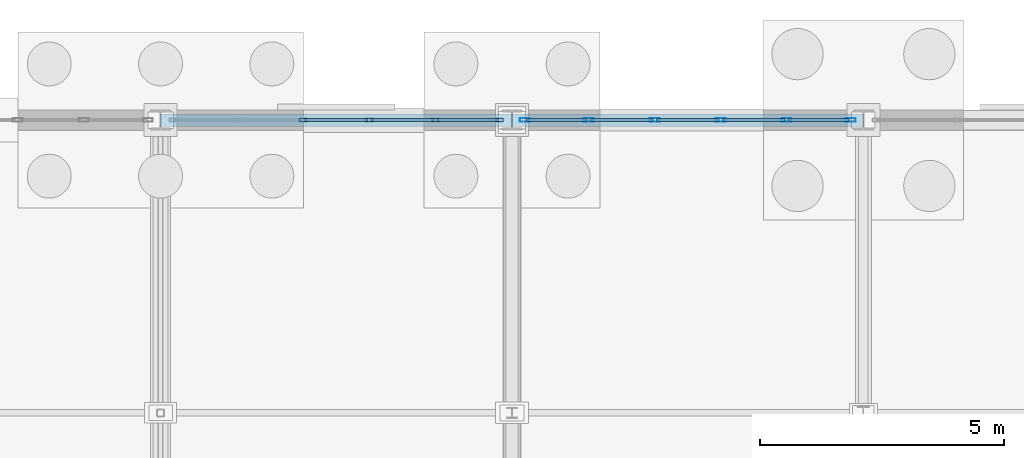
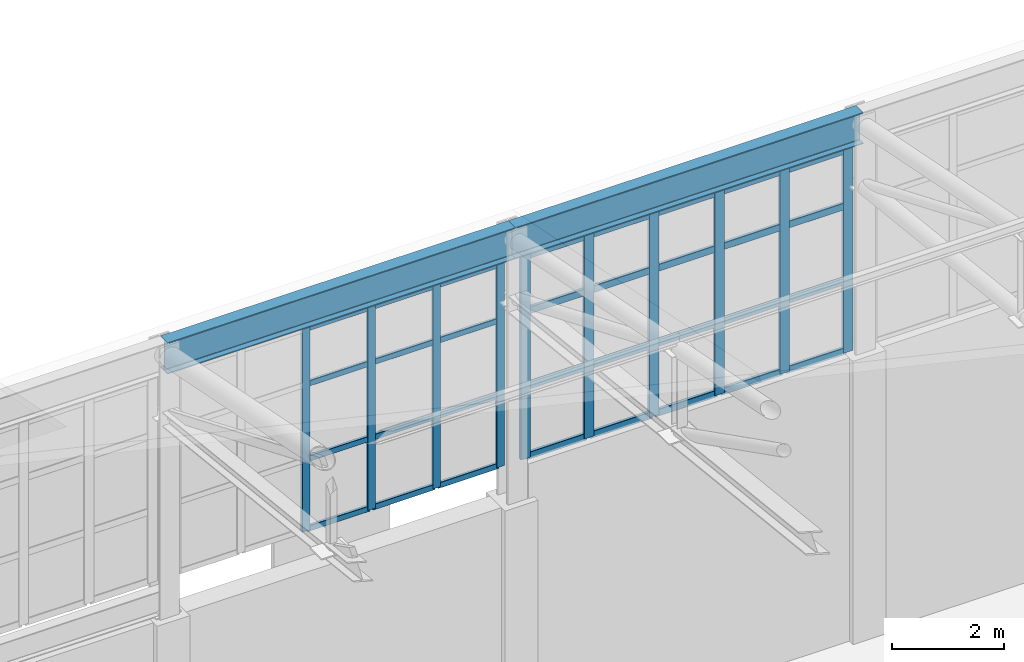
# One storey, part 209 of 293: 42 members, 2 beams, 2 elements without a shape of their own.
"""IFC4 building model written with IfcOpenShell, lengths in metres."""

from ifc_helpers import new_model, si_unit, direction, frame, origin, origin_2d, place, context, subcontext, project, spatial, hollow_rectangle, i_section, extrude, material, layer, layer_set, material_profile, profile_set, type_object, element, aggregate, save


model = new_model("IFC4")

# Units and contexts
model_context = context("Model", 3, precision=1e-05, world=origin(), true_north=direction((0.0, 1.0)))
body_context = subcontext(model_context, "Body", "Model", "MODEL_VIEW")
ifc_project = project(units=[si_unit("LENGTHUNIT", "METRE"), si_unit("AREAUNIT", "SQUARE_METRE"), si_unit("VOLUMEUNIT", "CUBIC_METRE"), si_unit("PLANEANGLEUNIT", "RADIAN"), si_unit("MASSUNIT", "GRAM", prefix="KILO")], contexts=[model_context])

# Site, building, storey
site_placement = place(None, origin())
site = spatial("IfcSite", under=ifc_project, at=site_placement, CompositionType="ELEMENT")
building_placement = place(site_placement, origin())
building = spatial("IfcBuilding", under=site, at=building_placement, Name="Kemerveld Promenade Tramway Depot", CompositionType="ELEMENT")
storey_placement = place(building_placement, origin())
storey = spatial("IfcBuildingStorey", under=building, at=storey_placement, Name="L00", CompositionType="ELEMENT", Elevation=0.0)

# Beams
ifc_material_1 = material(Name="Steel S355", Category="steel")
ifc_material_profile_1 = material_profile(ifc_material_1, i_section(OverallWidth=0.25439453125, OverallDepth=0.6875, WebThickness=0.01318359375, FlangeThickness=0.02099609375, FilletRadius=0.01513671875, at=origin_2d()), Name="686x254x152 UB")
ifc_profile_set_1 = profile_set([ifc_material_profile_1], Name="Steel S355")
beam_type = type_object("IfcBeamType", Name="BM-G03", PredefinedType="BEAM", material=ifc_profile_set_1)
beam_1_placement = place(storey_placement, frame((79.199951171875, 144.0, 11.056396484375), z_axis=(1.0, 0.0, 0.0), x_axis=(0.0, 1.0, 0.0)))
element("IfcBeam", 1, at=beam_1_placement, inside=storey, type_object=beam_type, Name="BM-SHED-EAVE-U-12", PredefinedType="BEAM", context=body_context, shape_type="SweptSolid", body=[
    extrude(i_section(OverallWidth=0.25439453125, OverallDepth=0.6875, WebThickness=0.01318359375, FlangeThickness=0.02099609375, FilletRadius=0.01513671875, at=origin_2d()), origin(), (0.0, 0.0, 1.0), 7.199951171875),
])
beam_2_placement = place(storey_placement, frame((86.39990234375, 144.0, 11.056396484375), z_axis=(1.0, 0.0, 0.0), x_axis=(0.0, 1.0, 0.0)))
element("IfcBeam", 2, at=beam_2_placement, inside=storey, type_object=beam_type, Name="BM-SHED-EAVE-U-13", PredefinedType="BEAM", context=body_context, shape_type="SweptSolid", body=[
    extrude(i_section(OverallWidth=0.25439453125, OverallDepth=0.6875, WebThickness=0.01318359375, FlangeThickness=0.02099609375, FilletRadius=0.01513671875, at=origin_2d()), origin(), (0.0, 0.0, 1.0), 7.2001953125),
])

# Curtain wall, members
ifc_material_2 = material(Name="Bronze anodised aluminium and solar glass", Category="aluminium")
ifc_layer_1 = layer(ifc_material_2, 0.159912109375)
ifc_layer_set_1 = layer_set([ifc_layer_1], Name="CW-SYS-07")
curtain_wall_type_1 = type_object("IfcCurtainWallType", Name="CW-SYS-07", PredefinedType="USERDEFINED", material=ifc_layer_set_1)
curtain_wall_1_placement = place(storey_placement, origin())
curtain_wall_1 = element("IfcCurtainWall", 3, at=curtain_wall_1_placement, inside=storey, type_object=curtain_wall_type_1, Name="CW-V1-N-07", ObjectType="GLAZED_CURTAIN_WALL", PredefinedType="USERDEFINED")
ifc_material_3 = material(Name="Bronze anodised aluminium", Category="aluminium")
ifc_material_profile_2 = material_profile(ifc_material_3, hollow_rectangle(XDim=0.06494140625, YDim=0.159912109375, WallThickness=0.00390625, InnerFilletRadius=0.001953125, OuterFilletRadius=0.00390625, at=origin_2d()), Name="CW-MUL-160x65")
ifc_profile_set_2 = profile_set([ifc_material_profile_2], Name="Bronze anodised aluminium")
member_type_1 = type_object("IfcMemberType", Name="CW-MUL-A", PredefinedType="MULLION", material=ifc_profile_set_2)
member_1_placement = place(storey_placement, frame((82.124755859375, 144.0, 6.199951171875), z_axis=(0.0, 0.0, 1.0), x_axis=(0.0, 1.0, 0.0)))
member_1 = element("IfcMember", 4, at=member_1_placement, type_object=member_type_1, Name="CW07 mullion 3", PredefinedType="MULLION", context=body_context, shape_type="SweptSolid", body=[
    extrude(hollow_rectangle(XDim=0.06494140625, YDim=0.159912109375, WallThickness=0.00390625, InnerFilletRadius=0.001953125, OuterFilletRadius=0.00390625, at=origin_2d()), origin(), (0.0, 0.0, 1.0), 4.449951171875),
])
member_2_placement = place(storey_placement, frame((83.475341796875, 144.0, 6.199951171875), z_axis=(0.0, 0.0, 1.0), x_axis=(0.0, 1.0, 0.0)))
member_2 = element("IfcMember", 5, at=member_2_placement, type_object=member_type_1, Name="CW07 mullion 4", PredefinedType="MULLION", context=body_context, shape_type="SweptSolid", body=[
    extrude(hollow_rectangle(XDim=0.06494140625, YDim=0.159912109375, WallThickness=0.00390625, InnerFilletRadius=0.001953125, OuterFilletRadius=0.00390625, at=origin_2d()), origin(), (0.0, 0.0, 1.0), 4.449951171875),
])
member_3_placement = place(storey_placement, frame((84.826171875, 144.0, 6.199951171875), z_axis=(0.0, 0.0, 1.0), x_axis=(0.0, 1.0, 0.0)))
member_3 = element("IfcMember", 6, at=member_3_placement, type_object=member_type_1, Name="CW07 mullion 5", PredefinedType="MULLION", context=body_context, shape_type="SweptSolid", body=[
    extrude(hollow_rectangle(XDim=0.06494140625, YDim=0.159912109375, WallThickness=0.00390625, InnerFilletRadius=0.001953125, OuterFilletRadius=0.00390625, at=origin_2d()), origin(), (0.0, 0.0, 1.0), 4.449951171875),
])
member_4_placement = place(storey_placement, frame((86.144287109375, 144.0, 6.199951171875), z_axis=(0.0, 0.0, 1.0), x_axis=(0.0, 1.0, 0.0)))
member_4 = element("IfcMember", 7, at=member_4_placement, type_object=member_type_1, Name="CW07 mullion 6", PredefinedType="MULLION", context=body_context, shape_type="SweptSolid", body=[
    extrude(hollow_rectangle(XDim=0.06494140625, YDim=0.159912109375, WallThickness=0.00390625, InnerFilletRadius=0.001953125, OuterFilletRadius=0.00390625, at=origin_2d()), origin(), (0.0, 0.0, 1.0), 4.449951171875),
])

ifc_layer_2 = layer(ifc_material_2, 0.199951171875)
ifc_layer_set_2 = layer_set([ifc_layer_2], Name="CW-SYS-08")
curtain_wall_type_2 = type_object("IfcCurtainWallType", Name="CW-SYS-08", PredefinedType="USERDEFINED", material=ifc_layer_set_2)
curtain_wall_2_placement = place(storey_placement, origin())
curtain_wall_2 = element("IfcCurtainWall", 8, at=curtain_wall_2_placement, inside=storey, type_object=curtain_wall_type_2, Name="CW-V1-N-08", ObjectType="GLAZED_CURTAIN_WALL", PredefinedType="USERDEFINED")
ifc_material_profile_3 = material_profile(ifc_material_3, hollow_rectangle(XDim=0.074951171875, YDim=0.199951171875, WallThickness=0.0048828125, InnerFilletRadius=0.001953125, OuterFilletRadius=0.0048828125, at=origin_2d()), Name="CW-MUL-200x75")
ifc_profile_set_3 = profile_set([ifc_material_profile_3], Name="Bronze anodised aluminium")
member_type_2 = type_object("IfcMemberType", Name="CW-MUL-B", PredefinedType="MULLION", material=ifc_profile_set_3)
member_5_placement = place(storey_placement, frame((86.66064453125, 144.0, 6.199951171875), z_axis=(0.0, 0.0, 1.0), x_axis=(0.0, 1.0, 0.0)))
member_5 = element("IfcMember", 9, at=member_5_placement, type_object=member_type_2, Name="CW08 mullion 1", PredefinedType="MULLION", context=body_context, shape_type="SweptSolid", body=[
    extrude(hollow_rectangle(XDim=0.074951171875, YDim=0.199951171875, WallThickness=0.0048828125, InnerFilletRadius=0.001953125, OuterFilletRadius=0.0048828125, at=origin_2d()), origin(), (0.0, 0.0, 1.0), 4.449951171875),
])
member_6_placement = place(storey_placement, frame((87.973876953125, 144.0, 6.199951171875), z_axis=(0.0, 0.0, 1.0), x_axis=(0.0, 1.0, 0.0)))
member_6 = element("IfcMember", 10, at=member_6_placement, type_object=member_type_2, Name="CW08 mullion 2", PredefinedType="MULLION", context=body_context, shape_type="SweptSolid", body=[
    extrude(hollow_rectangle(XDim=0.074951171875, YDim=0.199951171875, WallThickness=0.0048828125, InnerFilletRadius=0.001953125, OuterFilletRadius=0.0048828125, at=origin_2d()), origin(), (0.0, 0.0, 1.0), 4.449951171875),
])
member_7_placement = place(storey_placement, frame((89.32470703125, 144.0, 6.199951171875), z_axis=(0.0, 0.0, 1.0), x_axis=(0.0, 1.0, 0.0)))
member_7 = element("IfcMember", 11, at=member_7_placement, type_object=member_type_2, Name="CW08 mullion 3", PredefinedType="MULLION", context=body_context, shape_type="SweptSolid", body=[
    extrude(hollow_rectangle(XDim=0.074951171875, YDim=0.199951171875, WallThickness=0.0048828125, InnerFilletRadius=0.001953125, OuterFilletRadius=0.0048828125, at=origin_2d()), origin(), (0.0, 0.0, 1.0), 4.449951171875),
])
member_8_placement = place(storey_placement, frame((90.67529296875, 144.0, 6.199951171875), z_axis=(0.0, 0.0, 1.0), x_axis=(0.0, 1.0, 0.0)))
member_8 = element("IfcMember", 12, at=member_8_placement, type_object=member_type_2, Name="CW08 mullion 4", PredefinedType="MULLION", context=body_context, shape_type="SweptSolid", body=[
    extrude(hollow_rectangle(XDim=0.074951171875, YDim=0.199951171875, WallThickness=0.0048828125, InnerFilletRadius=0.001953125, OuterFilletRadius=0.0048828125, at=origin_2d()), origin(), (0.0, 0.0, 1.0), 4.449951171875),
])
member_9_placement = place(storey_placement, frame((92.026123046875, 144.0, 6.199951171875), z_axis=(0.0, 0.0, 1.0), x_axis=(0.0, 1.0, 0.0)))
member_9 = element("IfcMember", 13, at=member_9_placement, type_object=member_type_2, Name="CW08 mullion 5", PredefinedType="MULLION", context=body_context, shape_type="SweptSolid", body=[
    extrude(hollow_rectangle(XDim=0.074951171875, YDim=0.199951171875, WallThickness=0.0048828125, InnerFilletRadius=0.001953125, OuterFilletRadius=0.0048828125, at=origin_2d()), origin(), (0.0, 0.0, 1.0), 4.449951171875),
])
member_10_placement = place(storey_placement, frame((93.33935546875, 144.0, 6.199951171875), z_axis=(0.0, 0.0, 1.0), x_axis=(0.0, 1.0, 0.0)))
member_10 = element("IfcMember", 14, at=member_10_placement, type_object=member_type_2, Name="CW08 mullion 6", PredefinedType="MULLION", context=body_context, shape_type="SweptSolid", body=[
    extrude(hollow_rectangle(XDim=0.074951171875, YDim=0.199951171875, WallThickness=0.0048828125, InnerFilletRadius=0.001953125, OuterFilletRadius=0.0048828125, at=origin_2d()), origin(), (0.0, 0.0, 1.0), 4.449951171875),
])

# Member
ifc_material_profile_4 = material_profile(ifc_material_3, hollow_rectangle(XDim=0.06005859375, YDim=0.1201171875, WallThickness=0.00390625, InnerFilletRadius=0.001953125, OuterFilletRadius=0.00390625, at=origin_2d()), Name="CW-TRN-120x60")
ifc_profile_set_4 = profile_set([ifc_material_profile_4], Name="Bronze anodised aluminium")
member_type_3 = type_object("IfcMemberType", Name="CW-TRN-A", PredefinedType="USERDEFINED", material=ifc_profile_set_4)
member_11_placement = place(storey_placement, frame((82.1572265625, 144.0, 6.22998046875), z_axis=(1.0, 0.0, 0.0), x_axis=(0.0, 1.0, 0.0)))
member_11 = element("IfcMember", 15, at=member_11_placement, type_object=member_type_3, Name="CW07 transom 3.1", ObjectType="TRANSOM", PredefinedType="USERDEFINED", context=body_context, shape_type="SweptSolid", body=[
    extrude(hollow_rectangle(XDim=0.06005859375, YDim=0.1201171875, WallThickness=0.00390625, InnerFilletRadius=0.001953125, OuterFilletRadius=0.00390625, at=origin_2d()), origin(), (0.0, 0.0, 1.0), 1.28564453125),
])

member_12_placement = place(storey_placement, frame((82.1572265625, 144.0, 7.758056640625), z_axis=(1.0, 0.0, 0.0), x_axis=(0.0, 1.0, 0.0)))
member_12 = element("IfcMember", 16, at=member_12_placement, type_object=member_type_3, Name="CW07 transom 3.2", ObjectType="TRANSOM", PredefinedType="USERDEFINED", context=body_context, shape_type="SweptSolid", body=[
    extrude(hollow_rectangle(XDim=0.06005859375, YDim=0.1201171875, WallThickness=0.00390625, InnerFilletRadius=0.001953125, OuterFilletRadius=0.00390625, at=origin_2d()), origin(), (0.0, 0.0, 1.0), 1.28564453125),
])

member_13_placement = place(storey_placement, frame((82.1572265625, 144.0, 9.404052734375), z_axis=(1.0, 0.0, 0.0), x_axis=(0.0, 1.0, 0.0)))
member_13 = element("IfcMember", 17, at=member_13_placement, type_object=member_type_3, Name="CW07 transom 3.3", ObjectType="TRANSOM", PredefinedType="USERDEFINED", context=body_context, shape_type="SweptSolid", body=[
    extrude(hollow_rectangle(XDim=0.06005859375, YDim=0.1201171875, WallThickness=0.00390625, InnerFilletRadius=0.001953125, OuterFilletRadius=0.00390625, at=origin_2d()), origin(), (0.0, 0.0, 1.0), 1.28564453125),
])

member_14_placement = place(storey_placement, frame((82.1572265625, 144.0, 10.6201171875), z_axis=(1.0, 0.0, 0.0), x_axis=(0.0, 1.0, 0.0)))
member_14 = element("IfcMember", 18, at=member_14_placement, type_object=member_type_3, Name="CW07 transom 3.4", ObjectType="TRANSOM", PredefinedType="USERDEFINED", context=body_context, shape_type="SweptSolid", body=[
    extrude(hollow_rectangle(XDim=0.06005859375, YDim=0.1201171875, WallThickness=0.00390625, InnerFilletRadius=0.001953125, OuterFilletRadius=0.00390625, at=origin_2d()), origin(), (0.0, 0.0, 1.0), 1.28564453125),
])

member_15_placement = place(storey_placement, frame((83.5078125, 144.0, 6.22998046875), z_axis=(1.0, 0.0, 0.0), x_axis=(0.0, 1.0, 0.0)))
member_15 = element("IfcMember", 19, at=member_15_placement, type_object=member_type_3, Name="CW07 transom 4.1", ObjectType="TRANSOM", PredefinedType="USERDEFINED", context=body_context, shape_type="SweptSolid", body=[
    extrude(hollow_rectangle(XDim=0.06005859375, YDim=0.1201171875, WallThickness=0.00390625, InnerFilletRadius=0.001953125, OuterFilletRadius=0.00390625, at=origin_2d()), origin(), (0.0, 0.0, 1.0), 1.285888671875),
])

member_16_placement = place(storey_placement, frame((83.5078125, 144.0, 7.758056640625), z_axis=(1.0, 0.0, 0.0), x_axis=(0.0, 1.0, 0.0)))
member_16 = element("IfcMember", 20, at=member_16_placement, type_object=member_type_3, Name="CW07 transom 4.2", ObjectType="TRANSOM", PredefinedType="USERDEFINED", context=body_context, shape_type="SweptSolid", body=[
    extrude(hollow_rectangle(XDim=0.06005859375, YDim=0.1201171875, WallThickness=0.00390625, InnerFilletRadius=0.001953125, OuterFilletRadius=0.00390625, at=origin_2d()), origin(), (0.0, 0.0, 1.0), 1.285888671875),
])

member_17_placement = place(storey_placement, frame((83.5078125, 144.0, 9.404052734375), z_axis=(1.0, 0.0, 0.0), x_axis=(0.0, 1.0, 0.0)))
member_17 = element("IfcMember", 21, at=member_17_placement, type_object=member_type_3, Name="CW07 transom 4.3", ObjectType="TRANSOM", PredefinedType="USERDEFINED", context=body_context, shape_type="SweptSolid", body=[
    extrude(hollow_rectangle(XDim=0.06005859375, YDim=0.1201171875, WallThickness=0.00390625, InnerFilletRadius=0.001953125, OuterFilletRadius=0.00390625, at=origin_2d()), origin(), (0.0, 0.0, 1.0), 1.285888671875),
])

member_18_placement = place(storey_placement, frame((83.5078125, 144.0, 10.6201171875), z_axis=(1.0, 0.0, 0.0), x_axis=(0.0, 1.0, 0.0)))
member_18 = element("IfcMember", 22, at=member_18_placement, type_object=member_type_3, Name="CW07 transom 4.4", ObjectType="TRANSOM", PredefinedType="USERDEFINED", context=body_context, shape_type="SweptSolid", body=[
    extrude(hollow_rectangle(XDim=0.06005859375, YDim=0.1201171875, WallThickness=0.00390625, InnerFilletRadius=0.001953125, OuterFilletRadius=0.00390625, at=origin_2d()), origin(), (0.0, 0.0, 1.0), 1.285888671875),
])

member_19_placement = place(storey_placement, frame((84.858642578125, 144.0, 6.22998046875), z_axis=(1.0, 0.0, 0.0), x_axis=(0.0, 1.0, 0.0)))
member_19 = element("IfcMember", 23, at=member_19_placement, type_object=member_type_3, Name="CW07 transom 5.1", ObjectType="TRANSOM", PredefinedType="USERDEFINED", context=body_context, shape_type="SweptSolid", body=[
    extrude(hollow_rectangle(XDim=0.06005859375, YDim=0.1201171875, WallThickness=0.00390625, InnerFilletRadius=0.001953125, OuterFilletRadius=0.00390625, at=origin_2d()), origin(), (0.0, 0.0, 1.0), 1.253173828125),
])

member_20_placement = place(storey_placement, frame((84.858642578125, 144.0, 7.758056640625), z_axis=(1.0, 0.0, 0.0), x_axis=(0.0, 1.0, 0.0)))
member_20 = element("IfcMember", 24, at=member_20_placement, type_object=member_type_3, Name="CW07 transom 5.2", ObjectType="TRANSOM", PredefinedType="USERDEFINED", context=body_context, shape_type="SweptSolid", body=[
    extrude(hollow_rectangle(XDim=0.06005859375, YDim=0.1201171875, WallThickness=0.00390625, InnerFilletRadius=0.001953125, OuterFilletRadius=0.00390625, at=origin_2d()), origin(), (0.0, 0.0, 1.0), 1.253173828125),
])

member_21_placement = place(storey_placement, frame((84.858642578125, 144.0, 9.404052734375), z_axis=(1.0, 0.0, 0.0), x_axis=(0.0, 1.0, 0.0)))
member_21 = element("IfcMember", 25, at=member_21_placement, type_object=member_type_3, Name="CW07 transom 5.3", ObjectType="TRANSOM", PredefinedType="USERDEFINED", context=body_context, shape_type="SweptSolid", body=[
    extrude(hollow_rectangle(XDim=0.06005859375, YDim=0.1201171875, WallThickness=0.00390625, InnerFilletRadius=0.001953125, OuterFilletRadius=0.00390625, at=origin_2d()), origin(), (0.0, 0.0, 1.0), 1.253173828125),
])

member_22_placement = place(storey_placement, frame((84.858642578125, 144.0, 10.6201171875), z_axis=(1.0, 0.0, 0.0), x_axis=(0.0, 1.0, 0.0)))
member_22 = element("IfcMember", 26, at=member_22_placement, type_object=member_type_3, Name="CW07 transom 5.4", ObjectType="TRANSOM", PredefinedType="USERDEFINED", context=body_context, shape_type="SweptSolid", body=[
    extrude(hollow_rectangle(XDim=0.06005859375, YDim=0.1201171875, WallThickness=0.00390625, InnerFilletRadius=0.001953125, OuterFilletRadius=0.00390625, at=origin_2d()), origin(), (0.0, 0.0, 1.0), 1.253173828125),
])

aggregate(curtain_wall_1, [member_1, member_2, member_3, member_4, member_11, member_12, member_13, member_14, member_15, member_16, member_17, member_18, member_19, member_20, member_21, member_22])

ifc_material_profile_5 = material_profile(ifc_material_3, hollow_rectangle(XDim=0.06494140625, YDim=0.14990234375, WallThickness=0.00439453125, InnerFilletRadius=0.001953125, OuterFilletRadius=0.00439453125, at=origin_2d()), Name="CW-TRN-150x65")
ifc_profile_set_5 = profile_set([ifc_material_profile_5], Name="Bronze anodised aluminium")
member_type_4 = type_object("IfcMemberType", Name="CW-TRN-B", PredefinedType="USERDEFINED", material=ifc_profile_set_5)
member_23_placement = place(storey_placement, frame((86.6982421875, 144.0, 6.232421875), z_axis=(1.0, 0.0, 0.0), x_axis=(0.0, 1.0, 0.0)))
member_23 = element("IfcMember", 27, at=member_23_placement, type_object=member_type_4, Name="CW08 transom 1.1", ObjectType="TRANSOM", PredefinedType="USERDEFINED", context=body_context, shape_type="SweptSolid", body=[
    extrude(hollow_rectangle(XDim=0.06494140625, YDim=0.14990234375, WallThickness=0.00439453125, InnerFilletRadius=0.001953125, OuterFilletRadius=0.00439453125, at=origin_2d()), origin(), (0.0, 0.0, 1.0), 1.23828125),
])

member_24_placement = place(storey_placement, frame((86.6982421875, 144.0, 7.758056640625), z_axis=(1.0, 0.0, 0.0), x_axis=(0.0, 1.0, 0.0)))
member_24 = element("IfcMember", 28, at=member_24_placement, type_object=member_type_4, Name="CW08 transom 1.2", ObjectType="TRANSOM", PredefinedType="USERDEFINED", context=body_context, shape_type="SweptSolid", body=[
    extrude(hollow_rectangle(XDim=0.06494140625, YDim=0.14990234375, WallThickness=0.00439453125, InnerFilletRadius=0.001953125, OuterFilletRadius=0.00439453125, at=origin_2d()), origin(), (0.0, 0.0, 1.0), 1.23828125),
])

member_25_placement = place(storey_placement, frame((86.6982421875, 144.0, 9.404052734375), z_axis=(1.0, 0.0, 0.0), x_axis=(0.0, 1.0, 0.0)))
member_25 = element("IfcMember", 29, at=member_25_placement, type_object=member_type_4, Name="CW08 transom 1.3", ObjectType="TRANSOM", PredefinedType="USERDEFINED", context=body_context, shape_type="SweptSolid", body=[
    extrude(hollow_rectangle(XDim=0.06494140625, YDim=0.14990234375, WallThickness=0.00439453125, InnerFilletRadius=0.001953125, OuterFilletRadius=0.00439453125, at=origin_2d()), origin(), (0.0, 0.0, 1.0), 1.23828125),
])

member_26_placement = place(storey_placement, frame((86.6982421875, 144.0, 10.617431640625), z_axis=(1.0, 0.0, 0.0), x_axis=(0.0, 1.0, 0.0)))
member_26 = element("IfcMember", 30, at=member_26_placement, type_object=member_type_4, Name="CW08 transom 1.4", ObjectType="TRANSOM", PredefinedType="USERDEFINED", context=body_context, shape_type="SweptSolid", body=[
    extrude(hollow_rectangle(XDim=0.06494140625, YDim=0.14990234375, WallThickness=0.00439453125, InnerFilletRadius=0.001953125, OuterFilletRadius=0.00439453125, at=origin_2d()), origin(), (0.0, 0.0, 1.0), 1.23828125),
])

member_27_placement = place(storey_placement, frame((88.011474609375, 144.0, 6.232421875), z_axis=(1.0, 0.0, 0.0), x_axis=(0.0, 1.0, 0.0)))
member_27 = element("IfcMember", 31, at=member_27_placement, type_object=member_type_4, Name="CW08 transom 2.1", ObjectType="TRANSOM", PredefinedType="USERDEFINED", context=body_context, shape_type="SweptSolid", body=[
    extrude(hollow_rectangle(XDim=0.06494140625, YDim=0.14990234375, WallThickness=0.00439453125, InnerFilletRadius=0.001953125, OuterFilletRadius=0.00439453125, at=origin_2d()), origin(), (0.0, 0.0, 1.0), 1.275634765625),
])

member_28_placement = place(storey_placement, frame((88.011474609375, 144.0, 7.758056640625), z_axis=(1.0, 0.0, 0.0), x_axis=(0.0, 1.0, 0.0)))
member_28 = element("IfcMember", 32, at=member_28_placement, type_object=member_type_4, Name="CW08 transom 2.2", ObjectType="TRANSOM", PredefinedType="USERDEFINED", context=body_context, shape_type="SweptSolid", body=[
    extrude(hollow_rectangle(XDim=0.06494140625, YDim=0.14990234375, WallThickness=0.00439453125, InnerFilletRadius=0.001953125, OuterFilletRadius=0.00439453125, at=origin_2d()), origin(), (0.0, 0.0, 1.0), 1.275634765625),
])

member_29_placement = place(storey_placement, frame((88.011474609375, 144.0, 9.404052734375), z_axis=(1.0, 0.0, 0.0), x_axis=(0.0, 1.0, 0.0)))
member_29 = element("IfcMember", 33, at=member_29_placement, type_object=member_type_4, Name="CW08 transom 2.3", ObjectType="TRANSOM", PredefinedType="USERDEFINED", context=body_context, shape_type="SweptSolid", body=[
    extrude(hollow_rectangle(XDim=0.06494140625, YDim=0.14990234375, WallThickness=0.00439453125, InnerFilletRadius=0.001953125, OuterFilletRadius=0.00439453125, at=origin_2d()), origin(), (0.0, 0.0, 1.0), 1.275634765625),
])

member_30_placement = place(storey_placement, frame((88.011474609375, 144.0, 10.617431640625), z_axis=(1.0, 0.0, 0.0), x_axis=(0.0, 1.0, 0.0)))
member_30 = element("IfcMember", 34, at=member_30_placement, type_object=member_type_4, Name="CW08 transom 2.4", ObjectType="TRANSOM", PredefinedType="USERDEFINED", context=body_context, shape_type="SweptSolid", body=[
    extrude(hollow_rectangle(XDim=0.06494140625, YDim=0.14990234375, WallThickness=0.00439453125, InnerFilletRadius=0.001953125, OuterFilletRadius=0.00439453125, at=origin_2d()), origin(), (0.0, 0.0, 1.0), 1.275634765625),
])

member_31_placement = place(storey_placement, frame((89.362060546875, 144.0, 6.232421875), z_axis=(1.0, 0.0, 0.0), x_axis=(0.0, 1.0, 0.0)))
member_31 = element("IfcMember", 35, at=member_31_placement, type_object=member_type_4, Name="CW08 transom 3.1", ObjectType="TRANSOM", PredefinedType="USERDEFINED", context=body_context, shape_type="SweptSolid", body=[
    extrude(hollow_rectangle(XDim=0.06494140625, YDim=0.14990234375, WallThickness=0.00439453125, InnerFilletRadius=0.001953125, OuterFilletRadius=0.00439453125, at=origin_2d()), origin(), (0.0, 0.0, 1.0), 1.27587890625),
])

member_32_placement = place(storey_placement, frame((89.362060546875, 144.0, 7.758056640625), z_axis=(1.0, 0.0, 0.0), x_axis=(0.0, 1.0, 0.0)))
member_32 = element("IfcMember", 36, at=member_32_placement, type_object=member_type_4, Name="CW08 transom 3.2", ObjectType="TRANSOM", PredefinedType="USERDEFINED", context=body_context, shape_type="SweptSolid", body=[
    extrude(hollow_rectangle(XDim=0.06494140625, YDim=0.14990234375, WallThickness=0.00439453125, InnerFilletRadius=0.001953125, OuterFilletRadius=0.00439453125, at=origin_2d()), origin(), (0.0, 0.0, 1.0), 1.27587890625),
])

member_33_placement = place(storey_placement, frame((89.362060546875, 144.0, 9.404052734375), z_axis=(1.0, 0.0, 0.0), x_axis=(0.0, 1.0, 0.0)))
member_33 = element("IfcMember", 37, at=member_33_placement, type_object=member_type_4, Name="CW08 transom 3.3", ObjectType="TRANSOM", PredefinedType="USERDEFINED", context=body_context, shape_type="SweptSolid", body=[
    extrude(hollow_rectangle(XDim=0.06494140625, YDim=0.14990234375, WallThickness=0.00439453125, InnerFilletRadius=0.001953125, OuterFilletRadius=0.00439453125, at=origin_2d()), origin(), (0.0, 0.0, 1.0), 1.27587890625),
])

member_34_placement = place(storey_placement, frame((89.362060546875, 144.0, 10.617431640625), z_axis=(1.0, 0.0, 0.0), x_axis=(0.0, 1.0, 0.0)))
member_34 = element("IfcMember", 38, at=member_34_placement, type_object=member_type_4, Name="CW08 transom 3.4", ObjectType="TRANSOM", PredefinedType="USERDEFINED", context=body_context, shape_type="SweptSolid", body=[
    extrude(hollow_rectangle(XDim=0.06494140625, YDim=0.14990234375, WallThickness=0.00439453125, InnerFilletRadius=0.001953125, OuterFilletRadius=0.00439453125, at=origin_2d()), origin(), (0.0, 0.0, 1.0), 1.27587890625),
])

member_35_placement = place(storey_placement, frame((90.712890625, 144.0, 6.232421875), z_axis=(1.0, 0.0, 0.0), x_axis=(0.0, 1.0, 0.0)))
member_35 = element("IfcMember", 39, at=member_35_placement, type_object=member_type_4, Name="CW08 transom 4.1", ObjectType="TRANSOM", PredefinedType="USERDEFINED", context=body_context, shape_type="SweptSolid", body=[
    extrude(hollow_rectangle(XDim=0.06494140625, YDim=0.14990234375, WallThickness=0.00439453125, InnerFilletRadius=0.001953125, OuterFilletRadius=0.00439453125, at=origin_2d()), origin(), (0.0, 0.0, 1.0), 1.275634765625),
])

member_36_placement = place(storey_placement, frame((90.712890625, 144.0, 7.758056640625), z_axis=(1.0, 0.0, 0.0), x_axis=(0.0, 1.0, 0.0)))
member_36 = element("IfcMember", 40, at=member_36_placement, type_object=member_type_4, Name="CW08 transom 4.2", ObjectType="TRANSOM", PredefinedType="USERDEFINED", context=body_context, shape_type="SweptSolid", body=[
    extrude(hollow_rectangle(XDim=0.06494140625, YDim=0.14990234375, WallThickness=0.00439453125, InnerFilletRadius=0.001953125, OuterFilletRadius=0.00439453125, at=origin_2d()), origin(), (0.0, 0.0, 1.0), 1.275634765625),
])

member_37_placement = place(storey_placement, frame((90.712890625, 144.0, 9.404052734375), z_axis=(1.0, 0.0, 0.0), x_axis=(0.0, 1.0, 0.0)))
member_37 = element("IfcMember", 41, at=member_37_placement, type_object=member_type_4, Name="CW08 transom 4.3", ObjectType="TRANSOM", PredefinedType="USERDEFINED", context=body_context, shape_type="SweptSolid", body=[
    extrude(hollow_rectangle(XDim=0.06494140625, YDim=0.14990234375, WallThickness=0.00439453125, InnerFilletRadius=0.001953125, OuterFilletRadius=0.00439453125, at=origin_2d()), origin(), (0.0, 0.0, 1.0), 1.275634765625),
])

member_38_placement = place(storey_placement, frame((90.712890625, 144.0, 10.617431640625), z_axis=(1.0, 0.0, 0.0), x_axis=(0.0, 1.0, 0.0)))
member_38 = element("IfcMember", 42, at=member_38_placement, type_object=member_type_4, Name="CW08 transom 4.4", ObjectType="TRANSOM", PredefinedType="USERDEFINED", context=body_context, shape_type="SweptSolid", body=[
    extrude(hollow_rectangle(XDim=0.06494140625, YDim=0.14990234375, WallThickness=0.00439453125, InnerFilletRadius=0.001953125, OuterFilletRadius=0.00439453125, at=origin_2d()), origin(), (0.0, 0.0, 1.0), 1.275634765625),
])

member_39_placement = place(storey_placement, frame((92.0634765625, 144.0, 6.232421875), z_axis=(1.0, 0.0, 0.0), x_axis=(0.0, 1.0, 0.0)))
member_39 = element("IfcMember", 43, at=member_39_placement, type_object=member_type_4, Name="CW08 transom 5.1", ObjectType="TRANSOM", PredefinedType="USERDEFINED", context=body_context, shape_type="SweptSolid", body=[
    extrude(hollow_rectangle(XDim=0.06494140625, YDim=0.14990234375, WallThickness=0.00439453125, InnerFilletRadius=0.001953125, OuterFilletRadius=0.00439453125, at=origin_2d()), origin(), (0.0, 0.0, 1.0), 1.23828125),
])

member_40_placement = place(storey_placement, frame((92.0634765625, 144.0, 7.758056640625), z_axis=(1.0, 0.0, 0.0), x_axis=(0.0, 1.0, 0.0)))
member_40 = element("IfcMember", 44, at=member_40_placement, type_object=member_type_4, Name="CW08 transom 5.2", ObjectType="TRANSOM", PredefinedType="USERDEFINED", context=body_context, shape_type="SweptSolid", body=[
    extrude(hollow_rectangle(XDim=0.06494140625, YDim=0.14990234375, WallThickness=0.00439453125, InnerFilletRadius=0.001953125, OuterFilletRadius=0.00439453125, at=origin_2d()), origin(), (0.0, 0.0, 1.0), 1.23828125),
])

member_41_placement = place(storey_placement, frame((92.0634765625, 144.0, 9.404052734375), z_axis=(1.0, 0.0, 0.0), x_axis=(0.0, 1.0, 0.0)))
member_41 = element("IfcMember", 45, at=member_41_placement, type_object=member_type_4, Name="CW08 transom 5.3", ObjectType="TRANSOM", PredefinedType="USERDEFINED", context=body_context, shape_type="SweptSolid", body=[
    extrude(hollow_rectangle(XDim=0.06494140625, YDim=0.14990234375, WallThickness=0.00439453125, InnerFilletRadius=0.001953125, OuterFilletRadius=0.00439453125, at=origin_2d()), origin(), (0.0, 0.0, 1.0), 1.23828125),
])

member_42_placement = place(storey_placement, frame((92.0634765625, 144.0, 10.617431640625), z_axis=(1.0, 0.0, 0.0), x_axis=(0.0, 1.0, 0.0)))
member_42 = element("IfcMember", 46, at=member_42_placement, type_object=member_type_4, Name="CW08 transom 5.4", ObjectType="TRANSOM", PredefinedType="USERDEFINED", context=body_context, shape_type="SweptSolid", body=[
    extrude(hollow_rectangle(XDim=0.06494140625, YDim=0.14990234375, WallThickness=0.00439453125, InnerFilletRadius=0.001953125, OuterFilletRadius=0.00439453125, at=origin_2d()), origin(), (0.0, 0.0, 1.0), 1.23828125),
])

aggregate(curtain_wall_2, [member_5, member_6, member_7, member_8, member_9, member_10, member_23, member_24, member_25, member_26, member_27, member_28, member_29, member_30, member_31, member_32, member_33, member_34, member_35, member_36, member_37, member_38, member_39, member_40, member_41, member_42])

save(model, "model.ifc")
